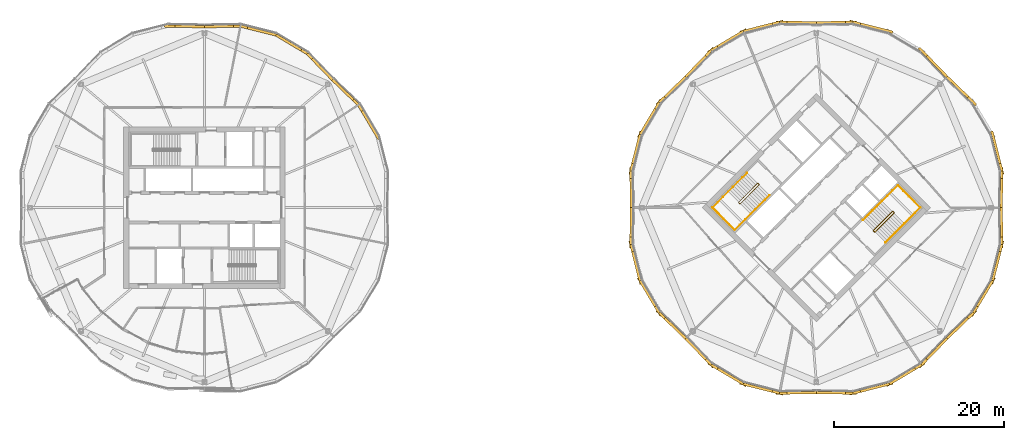
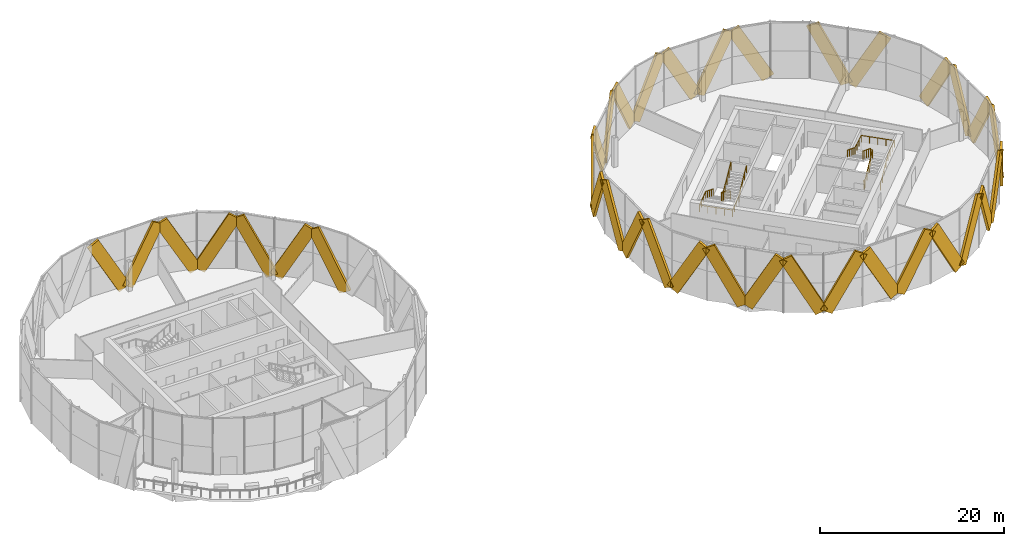
# One storey, part 25 of 27: 37 coverings, 4 railings.
"""IFC4 building model written with IfcOpenShell, lengths in metres."""

from ifc_helpers import new_model, si_unit, direction, frame, origin, origin_2d, place, context, subcontext, project, spatial, rectangle, circle, extrude, material, material_profile, profile_set, type_object, element, save


model = new_model("IFC4")

# Units and contexts
model_context = context("Model", 3, precision=1e-05, world=origin(), true_north=direction((0.0, 1.0)))
body_context = subcontext(model_context, "Body", "Model", "MODEL_VIEW")
ifc_project = project(units=[si_unit("LENGTHUNIT", "METRE"), si_unit("AREAUNIT", "SQUARE_METRE"), si_unit("VOLUMEUNIT", "CUBIC_METRE"), si_unit("PLANEANGLEUNIT", "RADIAN"), si_unit("MASSUNIT", "GRAM", prefix="KILO")], contexts=[model_context])

# Site, building, storey
site_placement = place(None, origin())
site = spatial("IfcSite", under=ifc_project, at=site_placement, CompositionType="ELEMENT")
building_placement = place(site_placement, origin())
building = spatial("IfcBuilding", under=site, at=building_placement, Name="Ogive Gate Towers", CompositionType="ELEMENT")
storey_placement = place(building_placement, frame((0.0, 0.0, 189.0)))
storey = spatial("IfcBuildingStorey", under=building, at=storey_placement, Name="L45", CompositionType="ELEMENT", Elevation=189.0)

# Coverings
ifc_material_1 = material(Name="Pale metal aluminium", Category="aluminium")
ifc_material_profile = material_profile(ifc_material_1, rectangle(XDim=0.300048828125, YDim=1.5, at=origin_2d()), Name="1500 x 300 pale metal aluminium")
ifc_profile_set = profile_set([ifc_material_profile], Name="Pale metal aluminium")
covering_type = type_object("IfcCoveringType", Name="Facade fin 1500 x 300", PredefinedType="CLADDING", material=ifc_profile_set)
covering_1_placement = place(storey_placement, frame((-20.799560546875, 14.913330078125, 0.011474609375), z_axis=(0.346910238247, -0.334334893257, 0.876283895636), x_axis=(0.693935828386, 0.720036850503, 0.0)))
element("IfcCovering", 1, at=covering_1_placement, inside=storey, type_object=covering_type, Name="Facade fin", PredefinedType="CLADDING", context=body_context, shape_type="SweptSolid", body=[
    extrude(rectangle(XDim=0.300048828125, YDim=1.5, at=origin_2d()), origin(), (0.0, 0.0, 1.0), 8.076416015625),
])
covering_2_placement = place(storey_placement, frame((-15.772216796875, 8.56103515625, 0.015380859375), z_axis=(-0.249117756707, 0.418453885313, 0.873405226204), x_axis=(-0.859258530379, -0.511541570129, 0.0)))
element("IfcCovering", 2, at=covering_2_placement, inside=storey, type_object=covering_type, Name="Facade fin", PredefinedType="CLADDING", context=body_context, shape_type="SweptSolid", body=[
    extrude(rectangle(XDim=0.300048828125, YDim=1.5, at=origin_2d()), origin(), (0.0, 0.0, 1.0), 8.093994140625),
])
covering_3_placement = place(storey_placement, frame((-35.797119140625, 21.293701171875, 0.011474609375), z_axis=(0.481727966173, 0.008887300581, 0.876275745696), x_axis=(-0.018445656384, 0.999829864407, 0.0)))
element("IfcCovering", 3, at=covering_3_placement, inside=storey, type_object=covering_type, Name="Facade fin", PredefinedType="CLADDING", context=body_context, shape_type="SweptSolid", body=[
    extrude(rectangle(XDim=0.300048828125, YDim=1.5, at=origin_2d()), origin(), (0.0, 0.0, 1.0), 8.076416015625),
])
covering_4_placement = place(storey_placement, frame((-27.75048828125, 20.356689453125, 0.01513671875), z_axis=(-0.472038814291, 0.119744031485, 0.873407536449), x_axis=(-0.245886009269, -0.969298751906, 0.0)))
element("IfcCovering", 4, at=covering_4_placement, inside=storey, type_object=covering_type, Name="Facade fin", PredefinedType="CLADDING", context=body_context, shape_type="SweptSolid", body=[
    extrude(rectangle(XDim=0.300048828125, YDim=1.5, at=origin_2d()), origin(), (0.0, 0.0, 1.0), 8.09423828125),
])
covering_5_placement = place(storey_placement, frame((-27.43896484375, 20.227783203125, 0.015380859375), z_axis=(0.418453885313, -0.249117756707, 0.873405226204), x_axis=(0.511541570129, 0.859258530379, 0.0)))
element("IfcCovering", 5, at=covering_5_placement, inside=storey, type_object=covering_type, Name="Facade fin", PredefinedType="CLADDING", context=body_context, shape_type="SweptSolid", body=[
    extrude(rectangle(XDim=0.300048828125, YDim=1.5, at=origin_2d()), origin(), (0.0, 0.0, 1.0), 8.093994140625),
])
for number, where, z_axis, x_axis, name in (
    (6, (-21.086669921875, 15.200439453125, 0.011474609375), (-0.334334893257, 0.346910238247, 0.876283895636), (-0.720036850503, -0.693935828386, 0.0), "Facade fin"),
    (7, (-36.202880859375, 21.293701171875, 0.011474609375), (-0.481727966173, 0.008887300581, 0.876275745696), (-0.018445656384, -0.999829864407, 0.0), "Facade fin"),
    (8, (57.753662109375, 0.1943359375, 0.011474609375), (0.008856945064, 0.481751308802, 0.876263220152), (-0.999831040731, 0.018381784209, 0.0), "Facade fin"),
):
    element("IfcCovering", number, at=place(storey_placement, frame(where, z_axis=z_axis, x_axis=x_axis)), inside=storey, type_object=covering_type, Name=name, PredefinedType="CLADDING", context=body_context, shape_type="SweptSolid", body=[
        extrude(rectangle(XDim=0.300048828125, YDim=1.5, at=origin_2d()), origin(), (0.0, 0.0, 1.0), 8.076416015625),
    ])
covering_6_placement = place(storey_placement, frame((56.802490234375, 8.36279296875, 0.01513671875), z_axis=(0.119773761063, -0.472037109201, 0.873404381543), x_axis=(0.969283988738, 0.245944199315, 0.0)))
element("IfcCovering", 9, at=covering_6_placement, inside=storey, type_object=covering_type, Name="Facade fin", PredefinedType="CLADDING", context=body_context, shape_type="SweptSolid", body=[
    extrude(rectangle(XDim=0.300048828125, YDim=1.5, at=origin_2d()), origin(), (0.0, 0.0, 1.0), 8.09423828125),
])
for number, where, z_axis, x_axis, name in (
    (10, (51.51953125, 15.24462890625, 0.011474609375), (0.346906732033, -0.33436174303, 0.876275039053), (0.69396835548, 0.720005501084, 0.0), "Facade fin"),
    (11, (51.24462890625, 15.51953125, 0.011474609375), (-0.33436174303, 0.346906732033, 0.876275039053), (-0.720005501084, -0.69396835548, 0.0), "Facade fin"),
):
    element("IfcCovering", number, at=place(storey_placement, frame(where, z_axis=z_axis, x_axis=x_axis)), inside=storey, type_object=covering_type, Name=name, PredefinedType="CLADDING", context=body_context, shape_type="SweptSolid", body=[
        extrude(rectangle(XDim=0.300048828125, YDim=1.5, at=origin_2d()), origin(), (0.0, 0.0, 1.0), 8.076416015625),
    ])
covering_7_placement = place(storey_placement, frame((44.36279296875, 20.802490234375, 0.01513671875), z_axis=(-0.472037109201, 0.119773761063, 0.873404381543), x_axis=(-0.245944199315, -0.969283988738, 0.0)))
element("IfcCovering", 12, at=covering_7_placement, inside=storey, type_object=covering_type, Name="Facade fin", PredefinedType="CLADDING", context=body_context, shape_type="SweptSolid", body=[
    extrude(rectangle(XDim=0.300048828125, YDim=1.5, at=origin_2d()), origin(), (0.0, 0.0, 1.0), 8.09423828125),
])
for number, where, z_axis, x_axis, name in (
    (13, (36.1943359375, 21.753662109375, 0.011474609375), (0.481751308802, 0.008856945064, 0.876263220152), (-0.018381784209, 0.999831040731, 0.0), "Facade fin"),
    (14, (35.8056640625, 21.753662109375, 0.011474609375), (-0.481751308802, 0.008856945064, 0.876263220152), (-0.018381784209, -0.999831040731, 0.0), "Facade fin"),
):
    element("IfcCovering", number, at=place(storey_placement, frame(where, z_axis=z_axis, x_axis=x_axis)), inside=storey, type_object=covering_type, Name=name, PredefinedType="CLADDING", context=body_context, shape_type="SweptSolid", body=[
        extrude(rectangle(XDim=0.300048828125, YDim=1.5, at=origin_2d()), origin(), (0.0, 0.0, 1.0), 8.076416015625),
    ])
covering_8_placement = place(storey_placement, frame((27.63720703125, 20.802490234375, 0.01513671875), z_axis=(0.472037109201, 0.119773761063, 0.873404381543), x_axis=(-0.245944199315, 0.969283988738, 0.0)))
element("IfcCovering", 15, at=covering_8_placement, inside=storey, type_object=covering_type, Name="Facade fin", PredefinedType="CLADDING", context=body_context, shape_type="SweptSolid", body=[
    extrude(rectangle(XDim=0.300048828125, YDim=1.5, at=origin_2d()), origin(), (0.0, 0.0, 1.0), 8.09423828125),
])
covering_9_placement = place(storey_placement, frame((27.20361328125, 20.623046875, 0.015380859375), z_axis=(-0.418453885313, -0.249117756707, 0.873405226204), x_axis=(0.511541570129, -0.859258530379, 0.0)))
element("IfcCovering", 16, at=covering_9_placement, inside=storey, type_object=covering_type, Name="Facade fin", PredefinedType="CLADDING", context=body_context, shape_type="SweptSolid", body=[
    extrude(rectangle(XDim=0.300048828125, YDim=1.5, at=origin_2d()), origin(), (0.0, 0.0, 1.0), 8.093994140625),
])
for number, where, z_axis, x_axis, name in (
    (17, (20.75537109375, 15.51953125, 0.011474609375), (0.33436174303, 0.346906732033, 0.876275039053), (-0.720005501084, 0.69396835548, 0.0), "Facade fin"),
    (18, (20.48046875, 15.24462890625, 0.011474609375), (-0.346906732033, -0.33436174303, 0.876275039053), (0.69396835548, -0.720005501084, 0.0), "Facade fin"),
):
    element("IfcCovering", number, at=place(storey_placement, frame(where, z_axis=z_axis, x_axis=x_axis)), inside=storey, type_object=covering_type, Name=name, PredefinedType="CLADDING", context=body_context, shape_type="SweptSolid", body=[
        extrude(rectangle(XDim=0.300048828125, YDim=1.5, at=origin_2d()), origin(), (0.0, 0.0, 1.0), 8.076416015625),
    ])
covering_10_placement = place(storey_placement, frame((15.376953125, 8.79638671875, 0.015380859375), z_axis=(0.249117756707, 0.418453885313, 0.873405226204), x_axis=(-0.859258530379, 0.511541570129, 0.0)))
element("IfcCovering", 19, at=covering_10_placement, inside=storey, type_object=covering_type, Name="Facade fin", PredefinedType="CLADDING", context=body_context, shape_type="SweptSolid", body=[
    extrude(rectangle(XDim=0.300048828125, YDim=1.5, at=origin_2d()), origin(), (0.0, 0.0, 1.0), 8.093994140625),
])
covering_11_placement = place(storey_placement, frame((15.197509765625, 8.36279296875, 0.01513671875), z_axis=(-0.119773761063, -0.472037109201, 0.873404381543), x_axis=(0.969283988738, -0.245944199315, 0.0)))
element("IfcCovering", 20, at=covering_11_placement, inside=storey, type_object=covering_type, Name="Facade fin", PredefinedType="CLADDING", context=body_context, shape_type="SweptSolid", body=[
    extrude(rectangle(XDim=0.300048828125, YDim=1.5, at=origin_2d()), origin(), (0.0, 0.0, 1.0), 8.09423828125),
])
for number, where, z_axis, x_axis, name in (
    (21, (14.246337890625, 0.1943359375, 0.011474609375), (-0.008856945064, 0.481751308802, 0.876263220152), (-0.999831040731, -0.018381784209, 0.0), "Facade fin"),
    (22, (14.246337890625, -0.1943359375, 0.011474609375), (-0.008856945064, -0.481751308802, 0.876263220152), (0.999831040731, -0.018381784209, 0.0), "Facade fin"),
):
    element("IfcCovering", number, at=place(storey_placement, frame(where, z_axis=z_axis, x_axis=x_axis)), inside=storey, type_object=covering_type, Name=name, PredefinedType="CLADDING", context=body_context, shape_type="SweptSolid", body=[
        extrude(rectangle(XDim=0.300048828125, YDim=1.5, at=origin_2d()), origin(), (0.0, 0.0, 1.0), 8.076416015625),
    ])
covering_12_placement = place(storey_placement, frame((15.197509765625, -8.36279296875, 0.01513671875), z_axis=(-0.119773761063, 0.472037109201, 0.873404381543), x_axis=(-0.969283988738, -0.245944199315, 0.0)))
element("IfcCovering", 23, at=covering_12_placement, inside=storey, type_object=covering_type, Name="Facade fin", PredefinedType="CLADDING", context=body_context, shape_type="SweptSolid", body=[
    extrude(rectangle(XDim=0.300048828125, YDim=1.5, at=origin_2d()), origin(), (0.0, 0.0, 1.0), 8.09423828125),
])
covering_13_placement = place(storey_placement, frame((15.376953125, -8.79638671875, 0.015380859375), z_axis=(0.249117756707, -0.418453885313, 0.873405226204), x_axis=(0.859258530379, 0.511541570129, 0.0)))
element("IfcCovering", 24, at=covering_13_placement, inside=storey, type_object=covering_type, Name="Facade fin", PredefinedType="CLADDING", context=body_context, shape_type="SweptSolid", body=[
    extrude(rectangle(XDim=0.300048828125, YDim=1.5, at=origin_2d()), origin(), (0.0, 0.0, 1.0), 8.093994140625),
])
for number, where, z_axis, x_axis, name in (
    (25, (20.48046875, -15.24462890625, 0.011474609375), (-0.346906732033, 0.33436174303, 0.876275039053), (-0.69396835548, -0.720005501084, 0.0), "Facade fin"),
    (26, (20.75537109375, -15.51953125, 0.011474609375), (0.33436174303, -0.346906732033, 0.876275039053), (0.720005501084, 0.69396835548, 0.0), "Facade fin"),
):
    element("IfcCovering", number, at=place(storey_placement, frame(where, z_axis=z_axis, x_axis=x_axis)), inside=storey, type_object=covering_type, Name=name, PredefinedType="CLADDING", context=body_context, shape_type="SweptSolid", body=[
        extrude(rectangle(XDim=0.300048828125, YDim=1.5, at=origin_2d()), origin(), (0.0, 0.0, 1.0), 8.076416015625),
    ])
covering_14_placement = place(storey_placement, frame((27.20361328125, -20.623046875, 0.015380859375), z_axis=(-0.418453885313, 0.249117756707, 0.873405226204), x_axis=(-0.511541570129, -0.859258530379, 0.0)))
element("IfcCovering", 27, at=covering_14_placement, inside=storey, type_object=covering_type, Name="Facade fin", PredefinedType="CLADDING", context=body_context, shape_type="SweptSolid", body=[
    extrude(rectangle(XDim=0.300048828125, YDim=1.5, at=origin_2d()), origin(), (0.0, 0.0, 1.0), 8.093994140625),
])
covering_15_placement = place(storey_placement, frame((27.63720703125, -20.802490234375, 0.01513671875), z_axis=(0.472037109201, -0.119773761063, 0.873404381543), x_axis=(0.245944199315, 0.969283988738, 0.0)))
element("IfcCovering", 28, at=covering_15_placement, inside=storey, type_object=covering_type, Name="Facade fin", PredefinedType="CLADDING", context=body_context, shape_type="SweptSolid", body=[
    extrude(rectangle(XDim=0.300048828125, YDim=1.5, at=origin_2d()), origin(), (0.0, 0.0, 1.0), 8.09423828125),
])
for number, where, z_axis, x_axis, name in (
    (29, (35.8056640625, -21.753662109375, 0.011474609375), (-0.481751308802, -0.008856945064, 0.876263220152), (0.018381784209, -0.999831040731, 0.0), "Facade fin"),
    (30, (36.1943359375, -21.753662109375, 0.011474609375), (0.481751308802, -0.008856945064, 0.876263220152), (0.018381784209, 0.999831040731, 0.0), "Facade fin"),
):
    element("IfcCovering", number, at=place(storey_placement, frame(where, z_axis=z_axis, x_axis=x_axis)), inside=storey, type_object=covering_type, Name=name, PredefinedType="CLADDING", context=body_context, shape_type="SweptSolid", body=[
        extrude(rectangle(XDim=0.300048828125, YDim=1.5, at=origin_2d()), origin(), (0.0, 0.0, 1.0), 8.076416015625),
    ])
covering_16_placement = place(storey_placement, frame((44.36279296875, -20.802490234375, 0.01513671875), z_axis=(-0.472037109201, -0.119773761063, 0.873404381543), x_axis=(0.245944199315, -0.969283988738, 0.0)))
element("IfcCovering", 31, at=covering_16_placement, inside=storey, type_object=covering_type, Name="Facade fin", PredefinedType="CLADDING", context=body_context, shape_type="SweptSolid", body=[
    extrude(rectangle(XDim=0.300048828125, YDim=1.5, at=origin_2d()), origin(), (0.0, 0.0, 1.0), 8.09423828125),
])
covering_17_placement = place(storey_placement, frame((44.79638671875, -20.623046875, 0.015380859375), z_axis=(0.418453885313, 0.249117756707, 0.873405226204), x_axis=(-0.511541570129, 0.859258530379, 0.0)))
element("IfcCovering", 32, at=covering_17_placement, inside=storey, type_object=covering_type, Name="Facade fin", PredefinedType="CLADDING", context=body_context, shape_type="SweptSolid", body=[
    extrude(rectangle(XDim=0.300048828125, YDim=1.5, at=origin_2d()), origin(), (0.0, 0.0, 1.0), 8.093994140625),
])
for number, where, z_axis, x_axis, name in (
    (33, (51.24462890625, -15.51953125, 0.011474609375), (-0.33436174303, -0.346906732033, 0.876275039053), (0.720005501084, -0.69396835548, 0.0), "Facade fin"),
    (34, (51.51953125, -15.24462890625, 0.011474609375), (0.346906732033, 0.33436174303, 0.876275039053), (-0.69396835548, 0.720005501084, 0.0), "Facade fin"),
):
    element("IfcCovering", number, at=place(storey_placement, frame(where, z_axis=z_axis, x_axis=x_axis)), inside=storey, type_object=covering_type, Name=name, PredefinedType="CLADDING", context=body_context, shape_type="SweptSolid", body=[
        extrude(rectangle(XDim=0.300048828125, YDim=1.5, at=origin_2d()), origin(), (0.0, 0.0, 1.0), 8.076416015625),
    ])
covering_18_placement = place(storey_placement, frame((56.623046875, -8.79638671875, 0.015380859375), z_axis=(-0.249117756707, -0.418453885313, 0.873405226204), x_axis=(0.859258530379, -0.511541570129, 0.0)))
element("IfcCovering", 35, at=covering_18_placement, inside=storey, type_object=covering_type, Name="Facade fin", PredefinedType="CLADDING", context=body_context, shape_type="SweptSolid", body=[
    extrude(rectangle(XDim=0.300048828125, YDim=1.5, at=origin_2d()), origin(), (0.0, 0.0, 1.0), 8.093994140625),
])
covering_19_placement = place(storey_placement, frame((56.802490234375, -8.36279296875, 0.01513671875), z_axis=(0.119773761063, 0.472037109201, 0.873404381543), x_axis=(-0.969283988738, 0.245944199315, 0.0)))
element("IfcCovering", 36, at=covering_19_placement, inside=storey, type_object=covering_type, Name="Facade fin", PredefinedType="CLADDING", context=body_context, shape_type="SweptSolid", body=[
    extrude(rectangle(XDim=0.300048828125, YDim=1.5, at=origin_2d()), origin(), (0.0, 0.0, 1.0), 8.09423828125),
])
covering_20_placement = place(storey_placement, frame((57.753662109375, -0.1943359375, 0.011474609375), z_axis=(0.008856945064, -0.481751308802, 0.876263220152), x_axis=(0.999831040731, 0.018381784209, 0.0)))
element("IfcCovering", 37, at=covering_20_placement, inside=storey, type_object=covering_type, Name="Facade fin", PredefinedType="CLADDING", context=body_context, shape_type="SweptSolid", body=[
    extrude(rectangle(XDim=0.300048828125, YDim=1.5, at=origin_2d()), origin(), (0.0, 0.0, 1.0), 8.076416015625),
])

# Railings
ifc_material_2 = material(Name="Stainless steel", Category="steel")
railing_type_1 = type_object("IfcRailingType", Name="Stair guard 1100", PredefinedType="GUARDRAIL", material=ifc_material_2)
railing_1_placement = place(storey_placement, frame((29.15869140625, 2.8603515625, 0.0)))
element("IfcRailing", 38, at=railing_1_placement, inside=storey, type_object=railing_type_1, Name="L45 ST1 stair guard 1", PredefinedType="GUARDRAIL", context=body_context, shape_type="SweptSolid", body=[
    extrude(circle(Radius=0.02392578125, at=origin_2d()), frame((0.0, 0.0, 1.076171875), z_axis=(0.707106781187, -0.707106781187, 0.0), x_axis=(0.707106781187, 0.707106781187, 0.0)), (0.0, 0.0, 1.0), 0.14501953125),
    extrude(circle(Radius=0.02392578125, at=origin_2d()), frame((0.1025390625, -0.1025390625, 1.076171875), z_axis=(-0.645571447971, 0.382425963537, 0.661050594114), x_axis=(-0.509669330572, -0.860370369942, 0.0)), (0.0, 0.0, 1.0), 0.26806640625),
    extrude(circle(Radius=0.02392578125, at=origin_2d()), frame((-0.070556640625, 0.0, 1.25341796875), z_axis=(-0.61558473135, -0.61558473135, 0.49204763698), x_axis=(0.707106781187, -0.707106781187, 0.0)), (0.0, 0.0, 1.0), 3.602783203125),
    extrude(circle(Radius=0.02392578125, at=origin_2d()), frame((-2.288330078125, -2.2177734375, 3.02587890625), z_axis=(0.0, -1.0, 0.0), x_axis=(1.0, 0.0, 0.0)), (0.0, 0.0, 1.0), 0.07080078125),
    extrude(circle(Radius=0.02392578125, at=origin_2d()), frame((-2.288330078125, -2.28857421875, 3.02587890625), z_axis=(0.707106781187, -0.707106781187, 0.0), x_axis=(0.707106781187, 0.707106781187, 0.0)), (0.0, 0.0, 1.0), 0.14501953125),
    extrude(circle(Radius=0.02392578125, at=origin_2d()), frame((-2.185791015625, -2.39111328125, 3.02587890625), z_axis=(0.369845645421, 0.0, 0.929093213065), x_axis=(0.0, 1.0, 0.0)), (0.0, 0.0, 1.0), 0.190673828125),
    extrude(circle(Radius=0.02392578125, at=origin_2d()), frame((-2.115234375, -2.39111328125, 3.203125), z_axis=(0.61558473135, 0.61558473135, 0.49204763698), x_axis=(-0.707106781187, 0.707106781187, 0.0)), (0.0, 0.0, 1.0), 3.602783203125),
    extrude(circle(Radius=0.02099609375, at=origin_2d()), origin(), (0.0, 0.0, 1.0), 1.052001953125),
    extrude(circle(Radius=0.02099609375, at=origin_2d()), frame((0.1025390625, -0.1025390625, 0.0)), (0.0, 0.0, 1.0), 1.052001953125),
    extrude(circle(Radius=0.02099609375, at=origin_2d()), frame((-0.070556640625, 0.0, 0.17724609375)), (0.0, 0.0, 1.0), 1.052001953125),
    extrude(circle(Radius=0.02099609375, at=origin_2d()), frame((-0.625, -0.554443359375, 0.620361328125)), (0.0, 0.0, 1.0), 1.052001953125),
    extrude(circle(Radius=0.02099609375, at=origin_2d()), frame((-1.179443359375, -1.10888671875, 1.0634765625)), (0.0, 0.0, 1.0), 1.052001953125),
    extrude(circle(Radius=0.02099609375, at=origin_2d()), frame((-1.73388671875, -1.663330078125, 1.5068359375)), (0.0, 0.0, 1.0), 1.052001953125),
    extrude(circle(Radius=0.02099609375, at=origin_2d()), frame((-2.288330078125, -2.2177734375, 1.949951171875)), (0.0, 0.0, 1.0), 1.052001953125),
    extrude(circle(Radius=0.02099609375, at=origin_2d()), frame((-2.288330078125, -2.28857421875, 1.949951171875)), (0.0, 0.0, 1.0), 1.052001953125),
    extrude(circle(Radius=0.02099609375, at=origin_2d()), frame((-2.185791015625, -2.39111328125, 1.949951171875)), (0.0, 0.0, 1.0), 1.052001953125),
    extrude(circle(Radius=0.02099609375, at=origin_2d()), frame((-2.115234375, -2.39111328125, 2.127197265625)), (0.0, 0.0, 1.0), 1.052001953125),
    extrude(circle(Radius=0.02099609375, at=origin_2d()), frame((-1.560791015625, -1.836669921875, 2.5703125)), (0.0, 0.0, 1.0), 1.052001953125),
    extrude(circle(Radius=0.02099609375, at=origin_2d()), frame((-1.00634765625, -1.2822265625, 3.013671875)), (0.0, 0.0, 1.0), 1.052001953125),
    extrude(circle(Radius=0.02099609375, at=origin_2d()), frame((-0.451904296875, -0.727783203125, 3.456787109375)), (0.0, 0.0, 1.0), 1.052001953125),
    extrude(circle(Radius=0.02099609375, at=origin_2d()), frame((0.1025390625, -0.17333984375, 3.89990234375)), (0.0, 0.0, 1.0), 1.052001953125),
])
railing_2_placement = place(storey_placement, frame((42.84130859375, -2.8603515625, 0.0)))
element("IfcRailing", 39, at=railing_2_placement, inside=storey, type_object=railing_type_1, Name="L45 ST2 stair guard 1", PredefinedType="GUARDRAIL", context=body_context, shape_type="SweptSolid", body=[
    extrude(circle(Radius=0.02392578125, at=origin_2d()), frame((0.0, 0.0, 1.076171875), z_axis=(-0.707106781187, 0.707106781187, 0.0), x_axis=(-0.707106781187, -0.707106781187, 0.0)), (0.0, 0.0, 1.0), 0.14501953125),
    extrude(circle(Radius=0.02392578125, at=origin_2d()), frame((-0.1025390625, 0.1025390625, 1.076171875), z_axis=(0.645571447971, -0.382425963537, 0.661050594114), x_axis=(0.509669330572, 0.860370369942, 0.0)), (0.0, 0.0, 1.0), 0.26806640625),
    extrude(circle(Radius=0.02392578125, at=origin_2d()), frame((0.070556640625, 0.0, 1.25341796875), z_axis=(0.61558473135, 0.61558473135, 0.49204763698), x_axis=(-0.707106781187, 0.707106781187, 0.0)), (0.0, 0.0, 1.0), 3.602783203125),
    extrude(circle(Radius=0.02392578125, at=origin_2d()), frame((2.288330078125, 2.2177734375, 3.02587890625), z_axis=(0.0, 1.0, 0.0), x_axis=(-1.0, 0.0, 0.0)), (0.0, 0.0, 1.0), 0.07080078125),
    extrude(circle(Radius=0.02392578125, at=origin_2d()), frame((2.288330078125, 2.28857421875, 3.02587890625), z_axis=(-0.707106781187, 0.707106781187, 0.0), x_axis=(-0.707106781187, -0.707106781187, 0.0)), (0.0, 0.0, 1.0), 0.14501953125),
    extrude(circle(Radius=0.02392578125, at=origin_2d()), frame((2.185791015625, 2.39111328125, 3.02587890625), z_axis=(-0.369845645421, 0.0, 0.929093213065), x_axis=(0.0, -1.0, 0.0)), (0.0, 0.0, 1.0), 0.190673828125),
    extrude(circle(Radius=0.02392578125, at=origin_2d()), frame((2.115234375, 2.39111328125, 3.203125), z_axis=(-0.61558473135, -0.61558473135, 0.49204763698), x_axis=(0.707106781187, -0.707106781187, 0.0)), (0.0, 0.0, 1.0), 3.602783203125),
    extrude(circle(Radius=0.02099609375, at=origin_2d()), origin(), (0.0, 0.0, 1.0), 1.052001953125),
    extrude(circle(Radius=0.02099609375, at=origin_2d()), frame((-0.1025390625, 0.1025390625, 0.0)), (0.0, 0.0, 1.0), 1.052001953125),
    extrude(circle(Radius=0.02099609375, at=origin_2d()), frame((0.070556640625, 0.0, 0.17724609375)), (0.0, 0.0, 1.0), 1.052001953125),
    extrude(circle(Radius=0.02099609375, at=origin_2d()), frame((0.625, 0.554443359375, 0.620361328125)), (0.0, 0.0, 1.0), 1.052001953125),
    extrude(circle(Radius=0.02099609375, at=origin_2d()), frame((1.179443359375, 1.10888671875, 1.0634765625)), (0.0, 0.0, 1.0), 1.052001953125),
    extrude(circle(Radius=0.02099609375, at=origin_2d()), frame((1.73388671875, 1.663330078125, 1.5068359375)), (0.0, 0.0, 1.0), 1.052001953125),
    extrude(circle(Radius=0.02099609375, at=origin_2d()), frame((2.288330078125, 2.2177734375, 1.949951171875)), (0.0, 0.0, 1.0), 1.052001953125),
    extrude(circle(Radius=0.02099609375, at=origin_2d()), frame((2.288330078125, 2.28857421875, 1.949951171875)), (0.0, 0.0, 1.0), 1.052001953125),
    extrude(circle(Radius=0.02099609375, at=origin_2d()), frame((2.185791015625, 2.39111328125, 1.949951171875)), (0.0, 0.0, 1.0), 1.052001953125),
    extrude(circle(Radius=0.02099609375, at=origin_2d()), frame((2.115234375, 2.39111328125, 2.127197265625)), (0.0, 0.0, 1.0), 1.052001953125),
    extrude(circle(Radius=0.02099609375, at=origin_2d()), frame((1.560791015625, 1.836669921875, 2.5703125)), (0.0, 0.0, 1.0), 1.052001953125),
    extrude(circle(Radius=0.02099609375, at=origin_2d()), frame((1.00634765625, 1.2822265625, 3.013671875)), (0.0, 0.0, 1.0), 1.052001953125),
    extrude(circle(Radius=0.02099609375, at=origin_2d()), frame((0.451904296875, 0.727783203125, 3.456787109375)), (0.0, 0.0, 1.0), 1.052001953125),
    extrude(circle(Radius=0.02099609375, at=origin_2d()), frame((-0.1025390625, 0.17333984375, 3.89990234375)), (0.0, 0.0, 1.0), 1.052001953125),
])
railing_type_2 = type_object("IfcRailingType", Name="Stair handrail 900", PredefinedType="HANDRAIL", material=ifc_material_2)
railing_3_placement = place(storey_placement, frame((27.857666015625, 4.090576171875, 0.17724609375)))
element("IfcRailing", 40, at=railing_3_placement, inside=storey, type_object=railing_type_2, Name="L45 ST1 stair handrail 1", PredefinedType="HANDRAIL", context=body_context, shape_type="SweptSolid", body=[
    extrude(circle(Radius=0.02392578125, at=origin_2d()), frame((0.0, 0.0, 0.8759765625), z_axis=(-0.61558473135, -0.61558473135, 0.49204763698), x_axis=(0.707106781187, -0.707106781187, 0.0)), (0.0, 0.0, 1.0), 3.602783203125),
    extrude(circle(Radius=0.02392578125, at=origin_2d()), frame((-2.2177734375, -2.2177734375, 2.6484375), z_axis=(-0.707106781187, -0.707106781187, 0.0), x_axis=(0.707106781187, -0.707106781187, 0.0)), (0.0, 0.0, 1.0), 2.6484375),
    extrude(circle(Radius=0.02392578125, at=origin_2d()), frame((-4.090576171875, -4.090576171875, 2.6484375), z_axis=(0.707106781187, -0.707106781187, 0.0), x_axis=(0.707106781187, 0.707106781187, 0.0)), (0.0, 0.0, 1.0), 3.72509765625),
    extrude(circle(Radius=0.02392578125, at=origin_2d()), frame((-1.45654296875, -6.724609375, 2.6484375), z_axis=(0.705482886452, 0.705574853978, 0.066768423356), x_axis=(-0.70715286629, 0.70706069308, 0.0)), (0.0, 0.0, 1.0), 2.654541015625),
    extrude(circle(Radius=0.02392578125, at=origin_2d()), frame((0.416259765625, -4.8515625, 2.82568359375), z_axis=(0.615610411033, 0.615542642384, 0.4920681632), x_axis=(-0.70706785752, 0.70714570271, 0.0)), (0.0, 0.0, 1.0), 3.6025390625),
    extrude(circle(Radius=0.02099609375, at=origin_2d()), origin(), (0.0, 0.0, 1.0), 0.851806640625),
    extrude(circle(Radius=0.02099609375, at=origin_2d()), frame((-0.554443359375, -0.554443359375, 0.443115234375)), (0.0, 0.0, 1.0), 0.851806640625),
    extrude(circle(Radius=0.02099609375, at=origin_2d()), frame((-1.10888671875, -1.10888671875, 0.88623046875)), (0.0, 0.0, 1.0), 0.851806640625),
    extrude(circle(Radius=0.02099609375, at=origin_2d()), frame((-1.663330078125, -1.663330078125, 1.32958984375)), (0.0, 0.0, 1.0), 0.851806640625),
    extrude(circle(Radius=0.02099609375, at=origin_2d()), frame((-2.2177734375, -2.2177734375, 1.772705078125)), (0.0, 0.0, 1.0), 0.851806640625),
    extrude(circle(Radius=0.02099609375, at=origin_2d()), frame((-2.842041015625, -2.842041015625, 1.772705078125)), (0.0, 0.0, 1.0), 0.851806640625),
    extrude(circle(Radius=0.02099609375, at=origin_2d()), frame((-3.46630859375, -3.46630859375, 1.772705078125)), (0.0, 0.0, 1.0), 0.851806640625),
    extrude(circle(Radius=0.02099609375, at=origin_2d()), frame((-4.090576171875, -4.090576171875, 1.772705078125)), (0.0, 0.0, 1.0), 0.851806640625),
    extrude(circle(Radius=0.02099609375, at=origin_2d()), frame((-3.43212890625, -4.7490234375, 1.772705078125)), (0.0, 0.0, 1.0), 0.851806640625),
    extrude(circle(Radius=0.02099609375, at=origin_2d()), frame((-2.7734375, -5.40771484375, 1.772705078125)), (0.0, 0.0, 1.0), 0.851806640625),
    extrude(circle(Radius=0.02099609375, at=origin_2d()), frame((-2.114990234375, -6.066162109375, 1.772705078125)), (0.0, 0.0, 1.0), 0.851806640625),
    extrude(circle(Radius=0.02099609375, at=origin_2d()), frame((-1.45654296875, -6.724609375, 1.772705078125)), (0.0, 0.0, 1.0), 0.851806640625),
    extrude(circle(Radius=0.02099609375, at=origin_2d()), frame((-0.832275390625, -6.100341796875, 1.831787109375)), (0.0, 0.0, 1.0), 0.851806640625),
    extrude(circle(Radius=0.02099609375, at=origin_2d()), frame((-0.2080078125, -5.475830078125, 1.890869140625)), (0.0, 0.0, 1.0), 0.851806640625),
    extrude(circle(Radius=0.02099609375, at=origin_2d()), frame((0.416259765625, -4.8515625, 1.949951171875)), (0.0, 0.0, 1.0), 0.851806640625),
    extrude(circle(Radius=0.02099609375, at=origin_2d()), frame((0.970703125, -4.297119140625, 2.39306640625)), (0.0, 0.0, 1.0), 0.851806640625),
    extrude(circle(Radius=0.02099609375, at=origin_2d()), frame((1.525146484375, -3.74267578125, 2.83642578125)), (0.0, 0.0, 1.0), 0.851806640625),
    extrude(circle(Radius=0.02099609375, at=origin_2d()), frame((2.07958984375, -3.1884765625, 3.279541015625)), (0.0, 0.0, 1.0), 0.851806640625),
    extrude(circle(Radius=0.02099609375, at=origin_2d()), frame((2.634033203125, -2.634033203125, 3.72265625)), (0.0, 0.0, 1.0), 0.851806640625),
])
railing_4_placement = place(storey_placement, frame((44.142333984375, -4.090576171875, 0.17724609375)))
element("IfcRailing", 41, at=railing_4_placement, inside=storey, type_object=railing_type_2, Name="L45 ST2 stair handrail 1", PredefinedType="HANDRAIL", context=body_context, shape_type="SweptSolid", body=[
    extrude(circle(Radius=0.02392578125, at=origin_2d()), frame((0.0, 0.0, 0.8759765625), z_axis=(0.61558473135, 0.61558473135, 0.49204763698), x_axis=(-0.707106781187, 0.707106781187, 0.0)), (0.0, 0.0, 1.0), 3.602783203125),
    extrude(circle(Radius=0.02392578125, at=origin_2d()), frame((2.2177734375, 2.2177734375, 2.6484375), z_axis=(0.707106781187, 0.707106781187, 0.0), x_axis=(-0.707106781187, 0.707106781187, 0.0)), (0.0, 0.0, 1.0), 2.6484375),
    extrude(circle(Radius=0.02392578125, at=origin_2d()), frame((4.090576171875, 4.090576171875, 2.6484375), z_axis=(-0.707106781187, 0.707106781187, 0.0), x_axis=(-0.707106781187, -0.707106781187, 0.0)), (0.0, 0.0, 1.0), 3.72509765625),
    extrude(circle(Radius=0.02392578125, at=origin_2d()), frame((1.45654296875, 6.724609375, 2.6484375), z_axis=(-0.705482886452, -0.705574853978, 0.066768423356), x_axis=(0.70715286629, -0.70706069308, 0.0)), (0.0, 0.0, 1.0), 2.654541015625),
    extrude(circle(Radius=0.02392578125, at=origin_2d()), frame((-0.416259765625, 4.8515625, 2.82568359375), z_axis=(-0.615610411033, -0.615542642384, 0.4920681632), x_axis=(0.70706785752, -0.70714570271, 0.0)), (0.0, 0.0, 1.0), 3.6025390625),
    extrude(circle(Radius=0.02099609375, at=origin_2d()), origin(), (0.0, 0.0, 1.0), 0.851806640625),
    extrude(circle(Radius=0.02099609375, at=origin_2d()), frame((0.554443359375, 0.554443359375, 0.443115234375)), (0.0, 0.0, 1.0), 0.851806640625),
    extrude(circle(Radius=0.02099609375, at=origin_2d()), frame((1.10888671875, 1.10888671875, 0.88623046875)), (0.0, 0.0, 1.0), 0.851806640625),
    extrude(circle(Radius=0.02099609375, at=origin_2d()), frame((1.663330078125, 1.663330078125, 1.32958984375)), (0.0, 0.0, 1.0), 0.851806640625),
    extrude(circle(Radius=0.02099609375, at=origin_2d()), frame((2.2177734375, 2.2177734375, 1.772705078125)), (0.0, 0.0, 1.0), 0.851806640625),
    extrude(circle(Radius=0.02099609375, at=origin_2d()), frame((2.842041015625, 2.842041015625, 1.772705078125)), (0.0, 0.0, 1.0), 0.851806640625),
    extrude(circle(Radius=0.02099609375, at=origin_2d()), frame((3.46630859375, 3.46630859375, 1.772705078125)), (0.0, 0.0, 1.0), 0.851806640625),
    extrude(circle(Radius=0.02099609375, at=origin_2d()), frame((4.090576171875, 4.090576171875, 1.772705078125)), (0.0, 0.0, 1.0), 0.851806640625),
    extrude(circle(Radius=0.02099609375, at=origin_2d()), frame((3.43212890625, 4.7490234375, 1.772705078125)), (0.0, 0.0, 1.0), 0.851806640625),
    extrude(circle(Radius=0.02099609375, at=origin_2d()), frame((2.7734375, 5.40771484375, 1.772705078125)), (0.0, 0.0, 1.0), 0.851806640625),
    extrude(circle(Radius=0.02099609375, at=origin_2d()), frame((2.114990234375, 6.066162109375, 1.772705078125)), (0.0, 0.0, 1.0), 0.851806640625),
    extrude(circle(Radius=0.02099609375, at=origin_2d()), frame((1.45654296875, 6.724609375, 1.772705078125)), (0.0, 0.0, 1.0), 0.851806640625),
    extrude(circle(Radius=0.02099609375, at=origin_2d()), frame((0.832275390625, 6.100341796875, 1.831787109375)), (0.0, 0.0, 1.0), 0.851806640625),
    extrude(circle(Radius=0.02099609375, at=origin_2d()), frame((0.2080078125, 5.475830078125, 1.890869140625)), (0.0, 0.0, 1.0), 0.851806640625),
    extrude(circle(Radius=0.02099609375, at=origin_2d()), frame((-0.416259765625, 4.8515625, 1.949951171875)), (0.0, 0.0, 1.0), 0.851806640625),
    extrude(circle(Radius=0.02099609375, at=origin_2d()), frame((-0.970703125, 4.297119140625, 2.39306640625)), (0.0, 0.0, 1.0), 0.851806640625),
    extrude(circle(Radius=0.02099609375, at=origin_2d()), frame((-1.525146484375, 3.74267578125, 2.83642578125)), (0.0, 0.0, 1.0), 0.851806640625),
    extrude(circle(Radius=0.02099609375, at=origin_2d()), frame((-2.07958984375, 3.1884765625, 3.279541015625)), (0.0, 0.0, 1.0), 0.851806640625),
    extrude(circle(Radius=0.02099609375, at=origin_2d()), frame((-2.634033203125, 2.634033203125, 3.72265625)), (0.0, 0.0, 1.0), 0.851806640625),
])

save(model, "model.ifc")
